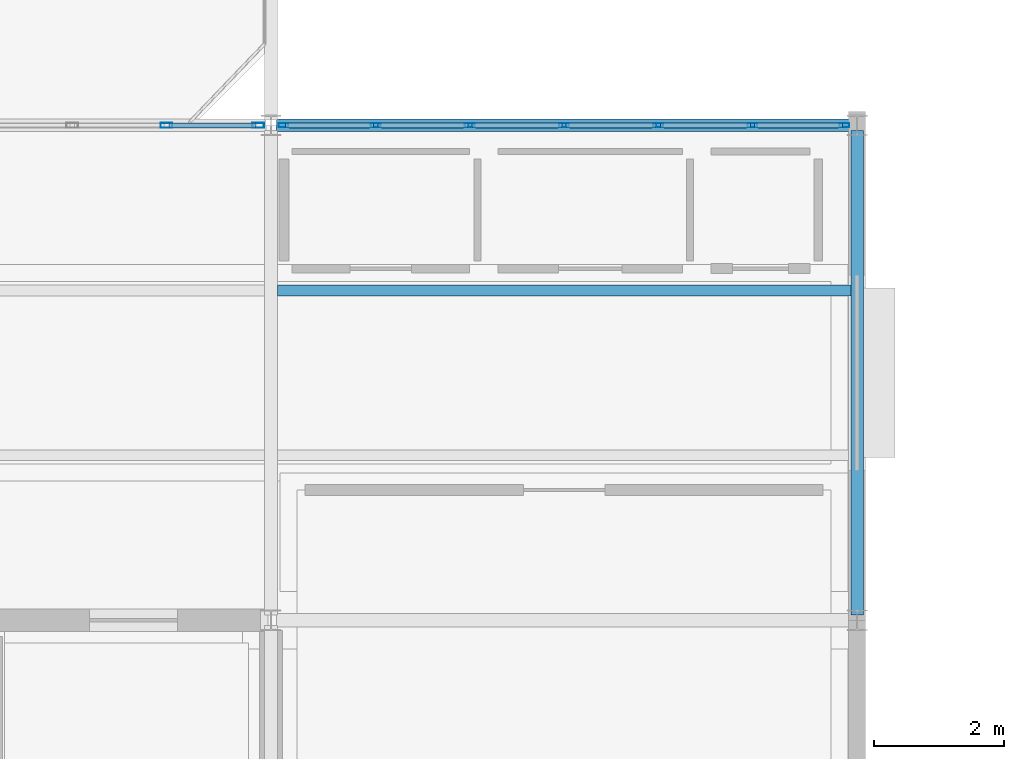
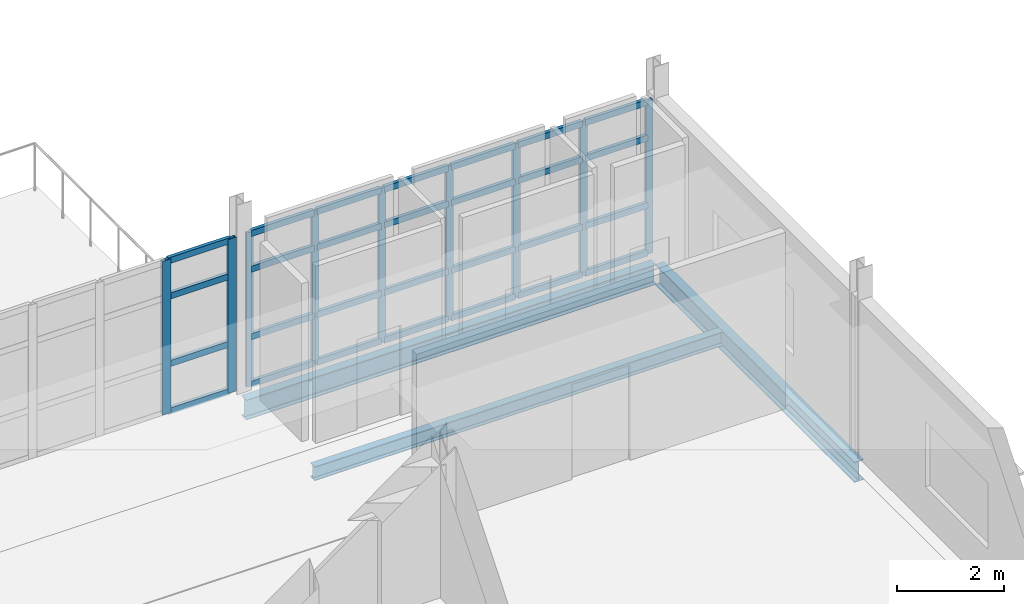
# One storey, part 64 of 166: 37 members, 3 beams, 2 elements without a shape of their own.
"""IFC4 building model written with IfcOpenShell, lengths in metres."""

from ifc_helpers import new_model, si_unit, direction, frame, origin, origin_2d, place, context, subcontext, project, spatial, hollow_rectangle, i_section, extrude, material, material_profile, profile_set, type_object, element, aggregate, save


model = new_model("IFC4")

# Units and contexts
model_context = context("Model", 3, precision=1e-05, world=origin(), true_north=direction((0.0, 1.0)))
body_context = subcontext(model_context, "Body", "Model", "MODEL_VIEW")
ifc_project = project(units=[si_unit("LENGTHUNIT", "METRE"), si_unit("AREAUNIT", "SQUARE_METRE"), si_unit("VOLUMEUNIT", "CUBIC_METRE"), si_unit("PLANEANGLEUNIT", "RADIAN"), si_unit("MASSUNIT", "GRAM", prefix="KILO")], contexts=[model_context])

# Site, building, storey
site_placement = place(None, origin())
site = spatial("IfcSite", under=ifc_project, at=site_placement, CompositionType="ELEMENT")
building_placement = place(site_placement, origin())
building = spatial("IfcBuilding", under=site, at=building_placement, Name="Caisbarro Railhouse Central Library", CompositionType="ELEMENT")
storey_placement = place(building_placement, frame((0.0, 0.0, 9.360107421875)))
storey = spatial("IfcBuildingStorey", under=building, at=storey_placement, Name="L02", CompositionType="ELEMENT", Elevation=9.360107421875)

# Beams
ifc_material_1 = material(Name="Steel ASTM A572 Grade 50", Category="steel")
ifc_material_profile_1 = material_profile(ifc_material_1, i_section(OverallWidth=0.194091796875, OverallDepth=0.468994140625, WebThickness=0.0126953125, FlangeThickness=0.0205078125, FilletRadius=0.01806640625, at=origin_2d()), Name="W460X106.0")
ifc_profile_set_1 = profile_set([ifc_material_profile_1], Name="Steel ASTM A572 Grade 50")
beam_type_1 = type_object("IfcBeamType", Name="BM-G07", PredefinedType="BEAM", material=ifc_profile_set_1)
beam_1_placement = place(storey_placement, frame((108.0, 15.280029296875, -0.474609375), z_axis=(0.0, 1.0, 0.0), x_axis=(-1.0, 0.0, 0.0)))
element("IfcBeam", 1, at=beam_1_placement, inside=storey, type_object=beam_type_1, Name="G07 beam L02 #1322", PredefinedType="BEAM", context=body_context, shape_type="SweptSolid", body=[
    extrude(i_section(OverallWidth=0.194091796875, OverallDepth=0.468994140625, WebThickness=0.0126953125, FlangeThickness=0.0205078125, FilletRadius=0.01806640625, at=origin_2d()), origin(), (0.0, 0.0, 1.0), 7.43994140625),
])
ifc_material_profile_2 = material_profile(ifc_material_1, i_section(OverallWidth=0.1669921875, OverallDepth=0.31689453125, WebThickness=0.007568359375, FlangeThickness=0.01318359375, FilletRadius=0.011962890625, at=origin_2d()), Name="W310X52.0")
ifc_profile_set_2 = profile_set([ifc_material_profile_2], Name="Steel ASTM A572 Grade 50")
beam_type_2 = type_object("IfcBeamType", Name="BM-J02", PredefinedType="JOIST", material=ifc_profile_set_2)
beam_2_placement = place(storey_placement, frame((99.096923828125, 20.2666015625, -0.398681640625), z_axis=(1.0, 0.0, 0.0), x_axis=(0.0, 1.0, 0.0)))
element("IfcBeam", 2, at=beam_2_placement, inside=storey, type_object=beam_type_2, Name="J02 beam L02 #1350", PredefinedType="JOIST", context=body_context, shape_type="SweptSolid", body=[
    extrude(i_section(OverallWidth=0.1669921875, OverallDepth=0.31689453125, WebThickness=0.007568359375, FlangeThickness=0.01318359375, FilletRadius=0.011962890625, at=origin_2d()), origin(), (0.0, 0.0, 1.0), 8.80615234375),
])
ifc_material_profile_3 = material_profile(ifc_material_1, i_section(OverallWidth=0.18994140625, OverallDepth=0.45703125, WebThickness=0.009033203125, FlangeThickness=0.014404296875, FilletRadius=0.01806640625, at=origin_2d()), Name="W460X74.0")
ifc_profile_set_3 = profile_set([ifc_material_profile_3], Name="Steel ASTM A572 Grade 50")
beam_type_3 = type_object("IfcBeamType", Name="BM-SP01", PredefinedType="SPANDREL", material=ifc_profile_set_3)
beam_3_placement = place(storey_placement, frame((99.080078125, 22.800048828125, -0.468505859375), z_axis=(1.0, 0.0, 0.0), x_axis=(0.0, 1.0, 0.0)))
element("IfcBeam", 3, at=beam_3_placement, inside=storey, type_object=beam_type_3, Name="SP01 beam L02 #1301", PredefinedType="SPANDREL", context=body_context, shape_type="SweptSolid", body=[
    extrude(i_section(OverallWidth=0.18994140625, OverallDepth=0.45703125, WebThickness=0.009033203125, FlangeThickness=0.014404296875, FilletRadius=0.01806640625, at=origin_2d()), origin(), (0.0, 0.0, 1.0), 8.83984375),
])

# Curtain wall, members
ifc_material_2 = material(Name="Anodised architectural aluminium", Category="aluminium")
curtain_wall_type = type_object("IfcCurtainWallType", Name="CW-CW02", PredefinedType="NOTDEFINED", material=ifc_material_2)
curtain_wall_1_placement = place(storey_placement, origin())
curtain_wall_1 = element("IfcCurtainWall", 4, at=curtain_wall_1_placement, inside=storey, type_object=curtain_wall_type, Name="CW02 curtain wall L02 #60", PredefinedType="NOTDEFINED")
ifc_material_profile_4 = material_profile(ifc_material_2, hollow_rectangle(XDim=0.074951171875, YDim=0.179931640625, WallThickness=0.00439453125, at=origin_2d()), Name="ALU-MUL-75X180")
ifc_profile_set_4 = profile_set([ifc_material_profile_4], Name="Anodised architectural aluminium")
member_type_1 = type_object("IfcMemberType", Name="CWM-M01", PredefinedType="MULLION", material=ifc_profile_set_4)
member_1_placement = place(storey_placement, frame((97.393310546875, 22.800048828125, 0.0), z_axis=(0.0, 0.0, 1.0), x_axis=(0.0, 1.0, 0.0)))
member_1 = element("IfcMember", 5, at=member_1_placement, type_object=member_type_1, Name="CW02 mullion 6", PredefinedType="MULLION", context=body_context, shape_type="SweptSolid", body=[
    extrude(hollow_rectangle(XDim=0.074951171875, YDim=0.179931640625, WallThickness=0.00439453125, at=origin_2d()), origin(), (0.0, 0.0, 1.0), 3.510009765625),
])
member_2_placement = place(storey_placement, frame((98.802490234375, 22.800048828125, 0.0), z_axis=(0.0, 0.0, 1.0), x_axis=(0.0, 1.0, 0.0)))
member_2 = element("IfcMember", 6, at=member_2_placement, type_object=member_type_1, Name="CW02 mullion 7", PredefinedType="MULLION", context=body_context, shape_type="SweptSolid", body=[
    extrude(hollow_rectangle(XDim=0.074951171875, YDim=0.179931640625, WallThickness=0.00439453125, at=origin_2d()), origin(), (0.0, 0.0, 1.0), 3.510009765625),
])

curtain_wall_2_placement = place(storey_placement, origin())
curtain_wall_2 = element("IfcCurtainWall", 7, at=curtain_wall_2_placement, inside=storey, type_object=curtain_wall_type, Name="CW02 curtain wall L02 #61", PredefinedType="NOTDEFINED")
ifc_material_profile_5 = material_profile(ifc_material_2, hollow_rectangle(XDim=0.06494140625, YDim=0.14990234375, WallThickness=0.00390625, at=origin_2d()), Name="ALU-MUL-65X150")
ifc_profile_set_5 = profile_set([ifc_material_profile_5], Name="Anodised architectural aluminium")
member_type_2 = type_object("IfcMemberType", Name="CWM-M02", PredefinedType="MULLION", material=ifc_profile_set_5)
member_3_placement = place(storey_placement, frame((99.1923828125, 22.800048828125, 0.0), z_axis=(0.0, 0.0, 1.0), x_axis=(0.0, 1.0, 0.0)))
member_3 = element("IfcMember", 8, at=member_3_placement, type_object=member_type_2, Name="CW02 mullion 1", PredefinedType="MULLION", context=body_context, shape_type="SweptSolid", body=[
    extrude(hollow_rectangle(XDim=0.06494140625, YDim=0.14990234375, WallThickness=0.00390625, at=origin_2d()), origin(), (0.0, 0.0, 1.0), 3.510009765625),
])
member_4_placement = place(storey_placement, frame((100.606689453125, 22.800048828125, 0.0), z_axis=(0.0, 0.0, 1.0), x_axis=(0.0, 1.0, 0.0)))
member_4 = element("IfcMember", 9, at=member_4_placement, type_object=member_type_2, Name="CW02 mullion 2", PredefinedType="MULLION", context=body_context, shape_type="SweptSolid", body=[
    extrude(hollow_rectangle(XDim=0.06494140625, YDim=0.14990234375, WallThickness=0.00390625, at=origin_2d()), origin(), (0.0, 0.0, 1.0), 3.510009765625),
])
member_5_placement = place(storey_placement, frame((102.05322265625, 22.800048828125, 0.0), z_axis=(0.0, 0.0, 1.0), x_axis=(0.0, 1.0, 0.0)))
member_5 = element("IfcMember", 10, at=member_5_placement, type_object=member_type_2, Name="CW02 mullion 3", PredefinedType="MULLION", context=body_context, shape_type="SweptSolid", body=[
    extrude(hollow_rectangle(XDim=0.06494140625, YDim=0.14990234375, WallThickness=0.00390625, at=origin_2d()), origin(), (0.0, 0.0, 1.0), 3.510009765625),
])
member_6_placement = place(storey_placement, frame((103.5, 22.800048828125, 0.0), z_axis=(0.0, 0.0, 1.0), x_axis=(0.0, 1.0, 0.0)))
member_6 = element("IfcMember", 11, at=member_6_placement, type_object=member_type_2, Name="CW02 mullion 4", PredefinedType="MULLION", context=body_context, shape_type="SweptSolid", body=[
    extrude(hollow_rectangle(XDim=0.06494140625, YDim=0.14990234375, WallThickness=0.00390625, at=origin_2d()), origin(), (0.0, 0.0, 1.0), 3.510009765625),
])
member_7_placement = place(storey_placement, frame((104.94677734375, 22.800048828125, 0.0), z_axis=(0.0, 0.0, 1.0), x_axis=(0.0, 1.0, 0.0)))
member_7 = element("IfcMember", 12, at=member_7_placement, type_object=member_type_2, Name="CW02 mullion 5", PredefinedType="MULLION", context=body_context, shape_type="SweptSolid", body=[
    extrude(hollow_rectangle(XDim=0.06494140625, YDim=0.14990234375, WallThickness=0.00390625, at=origin_2d()), origin(), (0.0, 0.0, 1.0), 3.510009765625),
])
member_8_placement = place(storey_placement, frame((106.393310546875, 22.800048828125, 0.0), z_axis=(0.0, 0.0, 1.0), x_axis=(0.0, 1.0, 0.0)))
member_8 = element("IfcMember", 13, at=member_8_placement, type_object=member_type_2, Name="CW02 mullion 6", PredefinedType="MULLION", context=body_context, shape_type="SweptSolid", body=[
    extrude(hollow_rectangle(XDim=0.06494140625, YDim=0.14990234375, WallThickness=0.00390625, at=origin_2d()), origin(), (0.0, 0.0, 1.0), 3.510009765625),
])
member_9_placement = place(storey_placement, frame((107.8076171875, 22.800048828125, 0.0), z_axis=(0.0, 0.0, 1.0), x_axis=(0.0, 1.0, 0.0)))
member_9 = element("IfcMember", 14, at=member_9_placement, type_object=member_type_2, Name="CW02 mullion 7", PredefinedType="MULLION", context=body_context, shape_type="SweptSolid", body=[
    extrude(hollow_rectangle(XDim=0.06494140625, YDim=0.14990234375, WallThickness=0.00390625, at=origin_2d()), origin(), (0.0, 0.0, 1.0), 3.510009765625),
])

# Member
ifc_material_profile_6 = material_profile(ifc_material_2, hollow_rectangle(XDim=0.074951171875, YDim=0.139892578125, WallThickness=0.00390625, at=origin_2d()), Name="ALU-TRN-75X140")
ifc_profile_set_6 = profile_set([ifc_material_profile_6], Name="Anodised architectural aluminium")
member_type_3 = type_object("IfcMemberType", Name="CWT-T01", PredefinedType="USERDEFINED", material=ifc_profile_set_6)
member_10_placement = place(storey_placement, frame((97.430908203125, 22.800048828125, 0.037353515625), z_axis=(1.0, 0.0, 0.0), x_axis=(0.0, 1.0, 0.0)))
member_10 = element("IfcMember", 15, at=member_10_placement, type_object=member_type_3, Name="CW02 transom 6.1", ObjectType="TRANSOM", PredefinedType="USERDEFINED", context=body_context, shape_type="SweptSolid", body=[
    extrude(hollow_rectangle(XDim=0.074951171875, YDim=0.139892578125, WallThickness=0.00390625, at=origin_2d()), origin(), (0.0, 0.0, 1.0), 1.333984375),
])

member_11_placement = place(storey_placement, frame((97.430908203125, 22.800048828125, 1.119873046875), z_axis=(1.0, 0.0, 0.0), x_axis=(0.0, 1.0, 0.0)))
member_11 = element("IfcMember", 16, at=member_11_placement, type_object=member_type_3, Name="CW02 transom 6.2", ObjectType="TRANSOM", PredefinedType="USERDEFINED", context=body_context, shape_type="SweptSolid", body=[
    extrude(hollow_rectangle(XDim=0.074951171875, YDim=0.139892578125, WallThickness=0.00390625, at=origin_2d()), origin(), (0.0, 0.0, 1.0), 1.333984375),
])

member_12_placement = place(storey_placement, frame((97.430908203125, 22.800048828125, 2.659912109375), z_axis=(1.0, 0.0, 0.0), x_axis=(0.0, 1.0, 0.0)))
member_12 = element("IfcMember", 17, at=member_12_placement, type_object=member_type_3, Name="CW02 transom 6.3", ObjectType="TRANSOM", PredefinedType="USERDEFINED", context=body_context, shape_type="SweptSolid", body=[
    extrude(hollow_rectangle(XDim=0.074951171875, YDim=0.139892578125, WallThickness=0.00390625, at=origin_2d()), origin(), (0.0, 0.0, 1.0), 1.333984375),
])

member_13_placement = place(storey_placement, frame((97.430908203125, 22.800048828125, 3.472412109375), z_axis=(1.0, 0.0, 0.0), x_axis=(0.0, 1.0, 0.0)))
member_13 = element("IfcMember", 18, at=member_13_placement, type_object=member_type_3, Name="CW02 transom 6.4", ObjectType="TRANSOM", PredefinedType="USERDEFINED", context=body_context, shape_type="SweptSolid", body=[
    extrude(hollow_rectangle(XDim=0.074951171875, YDim=0.139892578125, WallThickness=0.00390625, at=origin_2d()), origin(), (0.0, 0.0, 1.0), 1.333984375),
])

aggregate(curtain_wall_1, [member_1, member_2, member_10, member_11, member_12, member_13])

member_14_placement = place(storey_placement, frame((99.22509765625, 22.800048828125, 0.037353515625), z_axis=(1.0, 0.0, 0.0), x_axis=(0.0, 1.0, 0.0)))
member_14 = element("IfcMember", 19, at=member_14_placement, type_object=member_type_3, Name="CW02 transom 1.1", ObjectType="TRANSOM", PredefinedType="USERDEFINED", context=body_context, shape_type="SweptSolid", body=[
    extrude(hollow_rectangle(XDim=0.074951171875, YDim=0.139892578125, WallThickness=0.00390625, at=origin_2d()), origin(), (0.0, 0.0, 1.0), 1.34912109375),
])

member_15_placement = place(storey_placement, frame((99.22509765625, 22.800048828125, 1.119873046875), z_axis=(1.0, 0.0, 0.0), x_axis=(0.0, 1.0, 0.0)))
member_15 = element("IfcMember", 20, at=member_15_placement, type_object=member_type_3, Name="CW02 transom 1.2", ObjectType="TRANSOM", PredefinedType="USERDEFINED", context=body_context, shape_type="SweptSolid", body=[
    extrude(hollow_rectangle(XDim=0.074951171875, YDim=0.139892578125, WallThickness=0.00390625, at=origin_2d()), origin(), (0.0, 0.0, 1.0), 1.34912109375),
])

member_16_placement = place(storey_placement, frame((99.22509765625, 22.800048828125, 2.659912109375), z_axis=(1.0, 0.0, 0.0), x_axis=(0.0, 1.0, 0.0)))
member_16 = element("IfcMember", 21, at=member_16_placement, type_object=member_type_3, Name="CW02 transom 1.3", ObjectType="TRANSOM", PredefinedType="USERDEFINED", context=body_context, shape_type="SweptSolid", body=[
    extrude(hollow_rectangle(XDim=0.074951171875, YDim=0.139892578125, WallThickness=0.00390625, at=origin_2d()), origin(), (0.0, 0.0, 1.0), 1.34912109375),
])

member_17_placement = place(storey_placement, frame((99.22509765625, 22.800048828125, 3.472412109375), z_axis=(1.0, 0.0, 0.0), x_axis=(0.0, 1.0, 0.0)))
member_17 = element("IfcMember", 22, at=member_17_placement, type_object=member_type_3, Name="CW02 transom 1.4", ObjectType="TRANSOM", PredefinedType="USERDEFINED", context=body_context, shape_type="SweptSolid", body=[
    extrude(hollow_rectangle(XDim=0.074951171875, YDim=0.139892578125, WallThickness=0.00390625, at=origin_2d()), origin(), (0.0, 0.0, 1.0), 1.34912109375),
])

member_18_placement = place(storey_placement, frame((100.63916015625, 22.800048828125, 0.037353515625), z_axis=(1.0, 0.0, 0.0), x_axis=(0.0, 1.0, 0.0)))
member_18 = element("IfcMember", 23, at=member_18_placement, type_object=member_type_3, Name="CW02 transom 2.1", ObjectType="TRANSOM", PredefinedType="USERDEFINED", context=body_context, shape_type="SweptSolid", body=[
    extrude(hollow_rectangle(XDim=0.074951171875, YDim=0.139892578125, WallThickness=0.00390625, at=origin_2d()), origin(), (0.0, 0.0, 1.0), 1.381591796875),
])

member_19_placement = place(storey_placement, frame((100.63916015625, 22.800048828125, 1.119873046875), z_axis=(1.0, 0.0, 0.0), x_axis=(0.0, 1.0, 0.0)))
member_19 = element("IfcMember", 24, at=member_19_placement, type_object=member_type_3, Name="CW02 transom 2.2", ObjectType="TRANSOM", PredefinedType="USERDEFINED", context=body_context, shape_type="SweptSolid", body=[
    extrude(hollow_rectangle(XDim=0.074951171875, YDim=0.139892578125, WallThickness=0.00390625, at=origin_2d()), origin(), (0.0, 0.0, 1.0), 1.381591796875),
])

member_20_placement = place(storey_placement, frame((100.63916015625, 22.800048828125, 2.659912109375), z_axis=(1.0, 0.0, 0.0), x_axis=(0.0, 1.0, 0.0)))
member_20 = element("IfcMember", 25, at=member_20_placement, type_object=member_type_3, Name="CW02 transom 2.3", ObjectType="TRANSOM", PredefinedType="USERDEFINED", context=body_context, shape_type="SweptSolid", body=[
    extrude(hollow_rectangle(XDim=0.074951171875, YDim=0.139892578125, WallThickness=0.00390625, at=origin_2d()), origin(), (0.0, 0.0, 1.0), 1.381591796875),
])

member_21_placement = place(storey_placement, frame((100.63916015625, 22.800048828125, 3.472412109375), z_axis=(1.0, 0.0, 0.0), x_axis=(0.0, 1.0, 0.0)))
member_21 = element("IfcMember", 26, at=member_21_placement, type_object=member_type_3, Name="CW02 transom 2.4", ObjectType="TRANSOM", PredefinedType="USERDEFINED", context=body_context, shape_type="SweptSolid", body=[
    extrude(hollow_rectangle(XDim=0.074951171875, YDim=0.139892578125, WallThickness=0.00390625, at=origin_2d()), origin(), (0.0, 0.0, 1.0), 1.381591796875),
])

member_22_placement = place(storey_placement, frame((102.0859375, 22.800048828125, 0.037353515625), z_axis=(1.0, 0.0, 0.0), x_axis=(0.0, 1.0, 0.0)))
member_22 = element("IfcMember", 27, at=member_22_placement, type_object=member_type_3, Name="CW02 transom 3.1", ObjectType="TRANSOM", PredefinedType="USERDEFINED", context=body_context, shape_type="SweptSolid", body=[
    extrude(hollow_rectangle(XDim=0.074951171875, YDim=0.139892578125, WallThickness=0.00390625, at=origin_2d()), origin(), (0.0, 0.0, 1.0), 1.381591796875),
])

member_23_placement = place(storey_placement, frame((102.0859375, 22.800048828125, 1.119873046875), z_axis=(1.0, 0.0, 0.0), x_axis=(0.0, 1.0, 0.0)))
member_23 = element("IfcMember", 28, at=member_23_placement, type_object=member_type_3, Name="CW02 transom 3.2", ObjectType="TRANSOM", PredefinedType="USERDEFINED", context=body_context, shape_type="SweptSolid", body=[
    extrude(hollow_rectangle(XDim=0.074951171875, YDim=0.139892578125, WallThickness=0.00390625, at=origin_2d()), origin(), (0.0, 0.0, 1.0), 1.381591796875),
])

member_24_placement = place(storey_placement, frame((102.0859375, 22.800048828125, 2.659912109375), z_axis=(1.0, 0.0, 0.0), x_axis=(0.0, 1.0, 0.0)))
member_24 = element("IfcMember", 29, at=member_24_placement, type_object=member_type_3, Name="CW02 transom 3.3", ObjectType="TRANSOM", PredefinedType="USERDEFINED", context=body_context, shape_type="SweptSolid", body=[
    extrude(hollow_rectangle(XDim=0.074951171875, YDim=0.139892578125, WallThickness=0.00390625, at=origin_2d()), origin(), (0.0, 0.0, 1.0), 1.381591796875),
])

member_25_placement = place(storey_placement, frame((102.0859375, 22.800048828125, 3.472412109375), z_axis=(1.0, 0.0, 0.0), x_axis=(0.0, 1.0, 0.0)))
member_25 = element("IfcMember", 30, at=member_25_placement, type_object=member_type_3, Name="CW02 transom 3.4", ObjectType="TRANSOM", PredefinedType="USERDEFINED", context=body_context, shape_type="SweptSolid", body=[
    extrude(hollow_rectangle(XDim=0.074951171875, YDim=0.139892578125, WallThickness=0.00390625, at=origin_2d()), origin(), (0.0, 0.0, 1.0), 1.381591796875),
])

member_26_placement = place(storey_placement, frame((103.532470703125, 22.800048828125, 0.037353515625), z_axis=(1.0, 0.0, 0.0), x_axis=(0.0, 1.0, 0.0)))
member_26 = element("IfcMember", 31, at=member_26_placement, type_object=member_type_3, Name="CW02 transom 4.1", ObjectType="TRANSOM", PredefinedType="USERDEFINED", context=body_context, shape_type="SweptSolid", body=[
    extrude(hollow_rectangle(XDim=0.074951171875, YDim=0.139892578125, WallThickness=0.00390625, at=origin_2d()), origin(), (0.0, 0.0, 1.0), 1.381591796875),
])

member_27_placement = place(storey_placement, frame((103.532470703125, 22.800048828125, 1.119873046875), z_axis=(1.0, 0.0, 0.0), x_axis=(0.0, 1.0, 0.0)))
member_27 = element("IfcMember", 32, at=member_27_placement, type_object=member_type_3, Name="CW02 transom 4.2", ObjectType="TRANSOM", PredefinedType="USERDEFINED", context=body_context, shape_type="SweptSolid", body=[
    extrude(hollow_rectangle(XDim=0.074951171875, YDim=0.139892578125, WallThickness=0.00390625, at=origin_2d()), origin(), (0.0, 0.0, 1.0), 1.381591796875),
])

member_28_placement = place(storey_placement, frame((103.532470703125, 22.800048828125, 2.659912109375), z_axis=(1.0, 0.0, 0.0), x_axis=(0.0, 1.0, 0.0)))
member_28 = element("IfcMember", 33, at=member_28_placement, type_object=member_type_3, Name="CW02 transom 4.3", ObjectType="TRANSOM", PredefinedType="USERDEFINED", context=body_context, shape_type="SweptSolid", body=[
    extrude(hollow_rectangle(XDim=0.074951171875, YDim=0.139892578125, WallThickness=0.00390625, at=origin_2d()), origin(), (0.0, 0.0, 1.0), 1.381591796875),
])

member_29_placement = place(storey_placement, frame((103.532470703125, 22.800048828125, 3.472412109375), z_axis=(1.0, 0.0, 0.0), x_axis=(0.0, 1.0, 0.0)))
member_29 = element("IfcMember", 34, at=member_29_placement, type_object=member_type_3, Name="CW02 transom 4.4", ObjectType="TRANSOM", PredefinedType="USERDEFINED", context=body_context, shape_type="SweptSolid", body=[
    extrude(hollow_rectangle(XDim=0.074951171875, YDim=0.139892578125, WallThickness=0.00390625, at=origin_2d()), origin(), (0.0, 0.0, 1.0), 1.381591796875),
])

member_30_placement = place(storey_placement, frame((104.979248046875, 22.800048828125, 0.037353515625), z_axis=(1.0, 0.0, 0.0), x_axis=(0.0, 1.0, 0.0)))
member_30 = element("IfcMember", 35, at=member_30_placement, type_object=member_type_3, Name="CW02 transom 5.1", ObjectType="TRANSOM", PredefinedType="USERDEFINED", context=body_context, shape_type="SweptSolid", body=[
    extrude(hollow_rectangle(XDim=0.074951171875, YDim=0.139892578125, WallThickness=0.00390625, at=origin_2d()), origin(), (0.0, 0.0, 1.0), 1.381591796875),
])

member_31_placement = place(storey_placement, frame((104.979248046875, 22.800048828125, 1.119873046875), z_axis=(1.0, 0.0, 0.0), x_axis=(0.0, 1.0, 0.0)))
member_31 = element("IfcMember", 36, at=member_31_placement, type_object=member_type_3, Name="CW02 transom 5.2", ObjectType="TRANSOM", PredefinedType="USERDEFINED", context=body_context, shape_type="SweptSolid", body=[
    extrude(hollow_rectangle(XDim=0.074951171875, YDim=0.139892578125, WallThickness=0.00390625, at=origin_2d()), origin(), (0.0, 0.0, 1.0), 1.381591796875),
])

member_32_placement = place(storey_placement, frame((104.979248046875, 22.800048828125, 2.659912109375), z_axis=(1.0, 0.0, 0.0), x_axis=(0.0, 1.0, 0.0)))
member_32 = element("IfcMember", 37, at=member_32_placement, type_object=member_type_3, Name="CW02 transom 5.3", ObjectType="TRANSOM", PredefinedType="USERDEFINED", context=body_context, shape_type="SweptSolid", body=[
    extrude(hollow_rectangle(XDim=0.074951171875, YDim=0.139892578125, WallThickness=0.00390625, at=origin_2d()), origin(), (0.0, 0.0, 1.0), 1.381591796875),
])

member_33_placement = place(storey_placement, frame((104.979248046875, 22.800048828125, 3.472412109375), z_axis=(1.0, 0.0, 0.0), x_axis=(0.0, 1.0, 0.0)))
member_33 = element("IfcMember", 38, at=member_33_placement, type_object=member_type_3, Name="CW02 transom 5.4", ObjectType="TRANSOM", PredefinedType="USERDEFINED", context=body_context, shape_type="SweptSolid", body=[
    extrude(hollow_rectangle(XDim=0.074951171875, YDim=0.139892578125, WallThickness=0.00390625, at=origin_2d()), origin(), (0.0, 0.0, 1.0), 1.381591796875),
])

member_34_placement = place(storey_placement, frame((106.42578125, 22.800048828125, 0.037353515625), z_axis=(1.0, 0.0, 0.0), x_axis=(0.0, 1.0, 0.0)))
member_34 = element("IfcMember", 39, at=member_34_placement, type_object=member_type_3, Name="CW02 transom 6.1", ObjectType="TRANSOM", PredefinedType="USERDEFINED", context=body_context, shape_type="SweptSolid", body=[
    extrude(hollow_rectangle(XDim=0.074951171875, YDim=0.139892578125, WallThickness=0.00390625, at=origin_2d()), origin(), (0.0, 0.0, 1.0), 1.34912109375),
])

member_35_placement = place(storey_placement, frame((106.42578125, 22.800048828125, 1.119873046875), z_axis=(1.0, 0.0, 0.0), x_axis=(0.0, 1.0, 0.0)))
member_35 = element("IfcMember", 40, at=member_35_placement, type_object=member_type_3, Name="CW02 transom 6.2", ObjectType="TRANSOM", PredefinedType="USERDEFINED", context=body_context, shape_type="SweptSolid", body=[
    extrude(hollow_rectangle(XDim=0.074951171875, YDim=0.139892578125, WallThickness=0.00390625, at=origin_2d()), origin(), (0.0, 0.0, 1.0), 1.34912109375),
])

member_36_placement = place(storey_placement, frame((106.42578125, 22.800048828125, 2.659912109375), z_axis=(1.0, 0.0, 0.0), x_axis=(0.0, 1.0, 0.0)))
member_36 = element("IfcMember", 41, at=member_36_placement, type_object=member_type_3, Name="CW02 transom 6.3", ObjectType="TRANSOM", PredefinedType="USERDEFINED", context=body_context, shape_type="SweptSolid", body=[
    extrude(hollow_rectangle(XDim=0.074951171875, YDim=0.139892578125, WallThickness=0.00390625, at=origin_2d()), origin(), (0.0, 0.0, 1.0), 1.34912109375),
])

member_37_placement = place(storey_placement, frame((106.42578125, 22.800048828125, 3.472412109375), z_axis=(1.0, 0.0, 0.0), x_axis=(0.0, 1.0, 0.0)))
member_37 = element("IfcMember", 42, at=member_37_placement, type_object=member_type_3, Name="CW02 transom 6.4", ObjectType="TRANSOM", PredefinedType="USERDEFINED", context=body_context, shape_type="SweptSolid", body=[
    extrude(hollow_rectangle(XDim=0.074951171875, YDim=0.139892578125, WallThickness=0.00390625, at=origin_2d()), origin(), (0.0, 0.0, 1.0), 1.34912109375),
])

aggregate(curtain_wall_2, [member_3, member_4, member_5, member_6, member_7, member_8, member_9, member_14, member_15, member_16, member_17, member_18, member_19, member_20, member_21, member_22, member_23, member_24, member_25, member_26, member_27, member_28, member_29, member_30, member_31, member_32, member_33, member_34, member_35, member_36, member_37])

save(model, "model.ifc")
